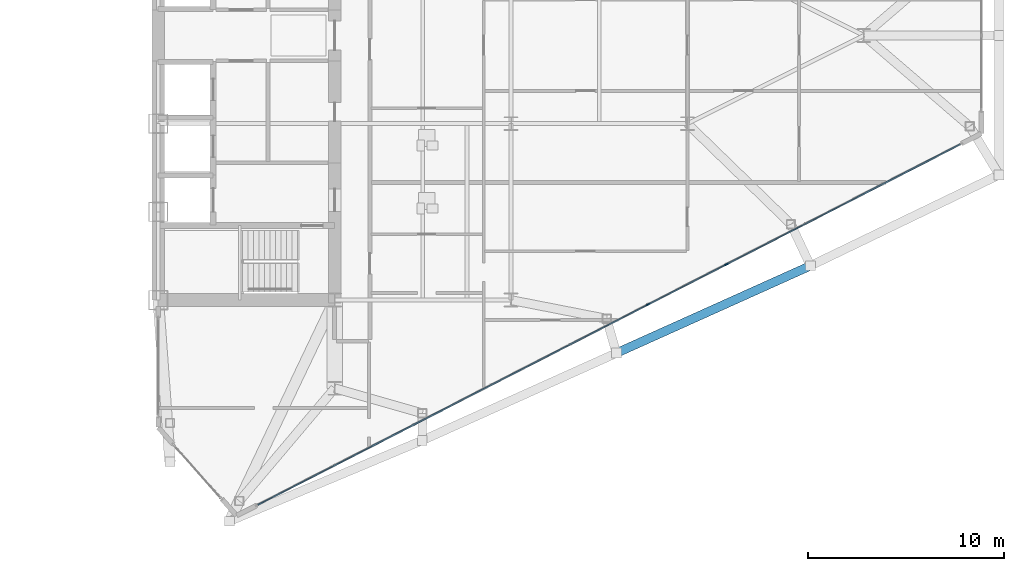
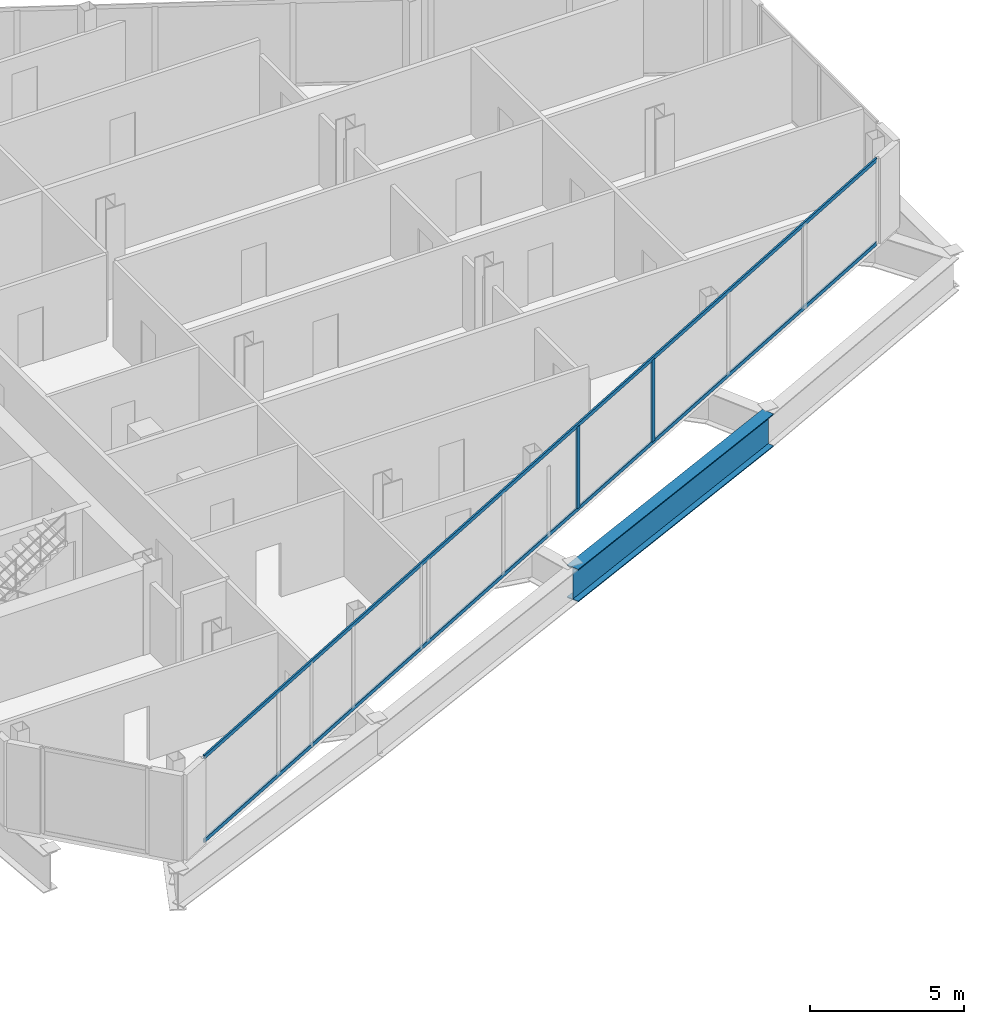
# One storey, part 11 of 28: 4 members, 1 beam, 1 element without a shape of its own.
"""IFC4 building model written with IfcOpenShell, lengths in metres."""

from ifc_helpers import new_model, si_unit, direction, frame, origin, origin_2d, place, context, subcontext, project, spatial, rectangle, i_section, extrude, source, transform, mapped, material, layer, layer_set, material_profile, profile_set, type_object, type_shapes, element, aggregate, save


model = new_model("IFC4")

# Units and contexts
model_context = context("Model", 3, precision=1e-05, world=origin(), true_north=direction((0.0, 1.0)))
body_context = subcontext(model_context, "Body", "Model", "MODEL_VIEW")
ifc_project = project(units=[si_unit("LENGTHUNIT", "METRE"), si_unit("AREAUNIT", "SQUARE_METRE"), si_unit("VOLUMEUNIT", "CUBIC_METRE"), si_unit("PLANEANGLEUNIT", "RADIAN"), si_unit("MASSUNIT", "GRAM", prefix="KILO")], contexts=[model_context])

# Site, building, storey
site_placement = place(None, origin())
site = spatial("IfcSite", under=ifc_project, at=site_placement, CompositionType="ELEMENT")
building_placement = place(site_placement, origin())
building = spatial("IfcBuilding", under=site, at=building_placement, Name="Seokmaru Belvedere", CompositionType="ELEMENT")
storey_placement = place(building_placement, frame((0.0, 0.0, 110.39990234375)))
storey = spatial("IfcBuildingStorey", under=building, at=storey_placement, Name="L29", CompositionType="ELEMENT", Elevation=110.39990234375)

# Beam
ifc_material_1 = material(Name="Steel HSA650 (650 MPa)", Category="steel")
ifc_material_profile_1 = material_profile(ifc_material_1, i_section(OverallWidth=0.449951171875, OverallDepth=1.300048828125, WebThickness=0.02197265625, FlangeThickness=0.0380859375, at=origin_2d()), Name="BH-1300x450x22x38")
ifc_profile_set_1 = profile_set([ifc_material_profile_1], Name="Steel HSA650 (650 MPa)")
beam_type = type_object("IfcBeamType", Name="Observatory Long-Span Roof Girder BH-1300", PredefinedType="BEAM", material=ifc_profile_set_1)
shared_shape_1 = source(origin(), body_context, "Body", "SweptSolid", [
    extrude(i_section(OverallWidth=0.449951171875, OverallDepth=1.300048828125, WebThickness=0.02197265625, FlangeThickness=0.0380859375, at=origin_2d()), origin(), (0.0, 0.0, 1.0), 10.85888671875),
])
type_shapes(beam_type, [shared_shape_1])
beam_placement = place(storey_placement, frame((50.875, -16.205322265625, -0.869873046875), z_axis=(0.911925291223, 0.410356263785, 0.0), x_axis=(-0.410356263785, 0.911925291223, 0.0)))
element("IfcBeam", 1, at=beam_placement, inside=storey, type_object=beam_type, Name="L29 E Faceted Flank Spandrel S-3", PredefinedType="BEAM", context=body_context, shape_type="MappedRepresentation", body=[
    mapped(shared_shape_1, transform((0.0, 0.0, 0.0), scale=1.0)),
])

# Curtain wall, members
ifc_material_2 = material(Name="Bronze Triple Insulating Glass", Category="glass")
ifc_layer = layer(ifc_material_2, 0.195068359375)
ifc_layer_set = layer_set([ifc_layer], Name="Bronze Triple Insulating Glass")
curtain_wall_type = type_object("IfcCurtainWallType", Name="Sky-Lobby and Mid-Rise Curtain Wall System CW-4", PredefinedType="NOTDEFINED", material=ifc_layer_set)
curtain_wall_placement = place(storey_placement, origin())
curtain_wall = element("IfcCurtainWall", 2, at=curtain_wall_placement, inside=storey, type_object=curtain_wall_type, Name="L29 Curtain Wall EF1", PredefinedType="NOTDEFINED")
ifc_material_3 = material(Name="Anodised Bronze Aluminium", Category="aluminium")
ifc_material_profile_2 = material_profile(ifc_material_3, rectangle(XDim=0.070068359375, YDim=0.195068359375, at=origin_2d()), Name="CW-M-70x195")
ifc_profile_set_2 = profile_set([ifc_material_profile_2], Name="Anodised Bronze Aluminium")
member_type_1 = type_object("IfcMemberType", Name="Bronze Unitised Mullion 70x195", PredefinedType="MULLION", material=ifc_profile_set_2)
shared_shape_2 = source(origin(), body_context, "Body", "SweptSolid", [
    extrude(rectangle(XDim=0.070068359375, YDim=0.195068359375, at=origin_2d()), origin(), (0.0, 0.0, 1.0), 3.25),
])
type_shapes(member_type_1, [shared_shape_2])
member_1_placement = place(storey_placement, frame((52.497314453125, -13.72509765625, 0.065185546875), z_axis=(0.0, 0.0, 1.0), x_axis=(-0.456554528263, 0.889695432562, 0.0)))
member_1 = element("IfcMember", 3, at=member_1_placement, type_object=member_type_1, Name="CW:L29:EF1 Mullion 6", PredefinedType="MULLION", context=body_context, shape_type="MappedRepresentation", body=[
    mapped(shared_shape_2, transform((0.0, 0.0, 0.0), scale=1.0)),
])
member_2_placement = place(storey_placement, frame((56.4921875, -11.675048828125, 0.065185546875), z_axis=(0.0, 0.0, 1.0), x_axis=(-0.456554528263, 0.889695432562, 0.0)))
member_2 = element("IfcMember", 4, at=member_2_placement, type_object=member_type_1, Name="CW:L29:EF1 Mullion 7", PredefinedType="MULLION", context=body_context, shape_type="MappedRepresentation", body=[
    mapped(shared_shape_2, transform((0.0, 0.0, 0.0), scale=1.0)),
])
ifc_material_profile_3 = material_profile(ifc_material_3, rectangle(XDim=0.06494140625, YDim=0.14990234375, at=origin_2d()), Name="CW-T-65x150")
ifc_profile_set_3 = profile_set([ifc_material_profile_3], Name="Anodised Bronze Aluminium")
member_type_2 = type_object("IfcMemberType", Name="Bronze Unitised Transom 65x150", PredefinedType="USERDEFINED", material=ifc_profile_set_3)
shared_shape_3 = source(origin(), body_context, "Body", "SweptSolid", [
    extrude(rectangle(XDim=0.06494140625, YDim=0.14990234375, at=origin_2d()), origin(), (0.0, 0.0, 1.0), 40.271240234375),
])
type_shapes(member_type_2, [shared_shape_3])
member_3_placement = place(storey_placement, frame((32.58544921875, -23.943115234375, 0.03271484375), z_axis=(0.889693089107, 0.456559094965, 0.0), x_axis=(-0.456559094965, 0.889693089107, 0.0)))
member_3 = element("IfcMember", 5, at=member_3_placement, type_object=member_type_2, Name="CW:L29:EF1 Continuous Transom 1", ObjectType="TRANSOM", PredefinedType="USERDEFINED", context=body_context, shape_type="MappedRepresentation", body=[
    mapped(shared_shape_3, transform((0.0, 0.0, 0.0), scale=1.0)),
])
member_4_placement = place(storey_placement, frame((32.58544921875, -23.943115234375, 3.34765625), z_axis=(0.889693089107, 0.456559094965, 0.0), x_axis=(-0.456559094965, 0.889693089107, 0.0)))
member_4 = element("IfcMember", 6, at=member_4_placement, type_object=member_type_2, Name="CW:L29:EF1 Continuous Transom 2", ObjectType="TRANSOM", PredefinedType="USERDEFINED", context=body_context, shape_type="MappedRepresentation", body=[
    mapped(shared_shape_3, transform((0.0, 0.0, 0.0), scale=1.0)),
])
aggregate(curtain_wall, [member_1, member_2, member_3, member_4])

save(model, "model.ifc")
